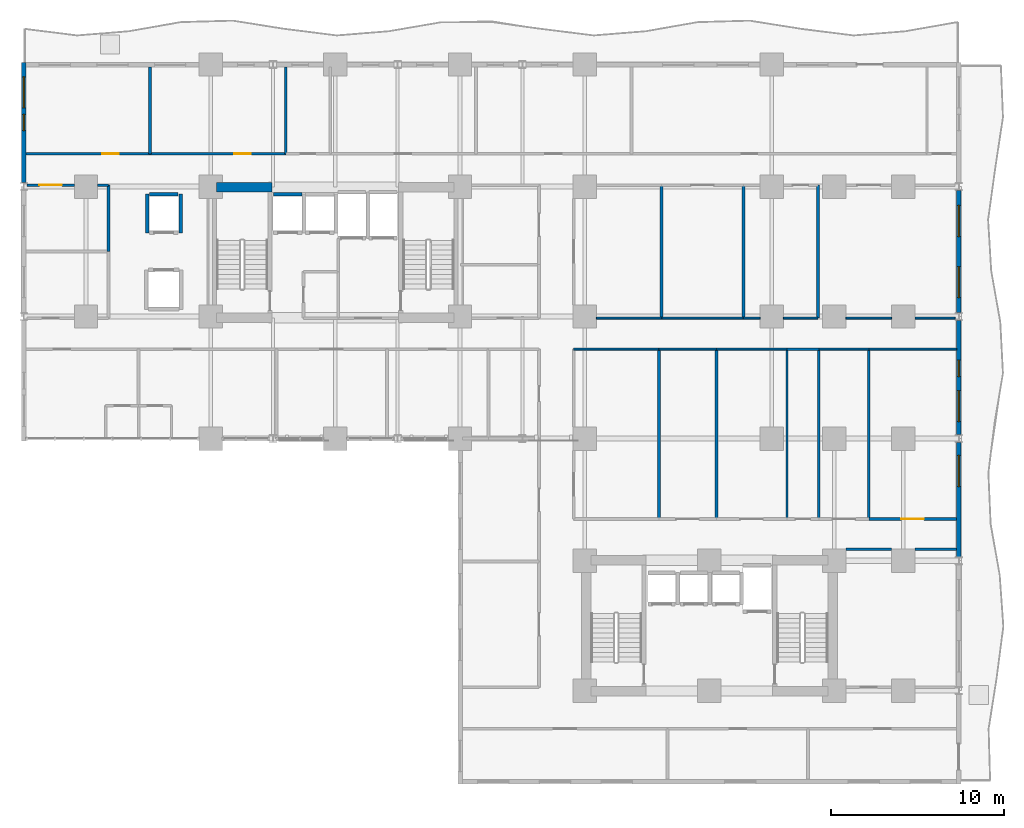
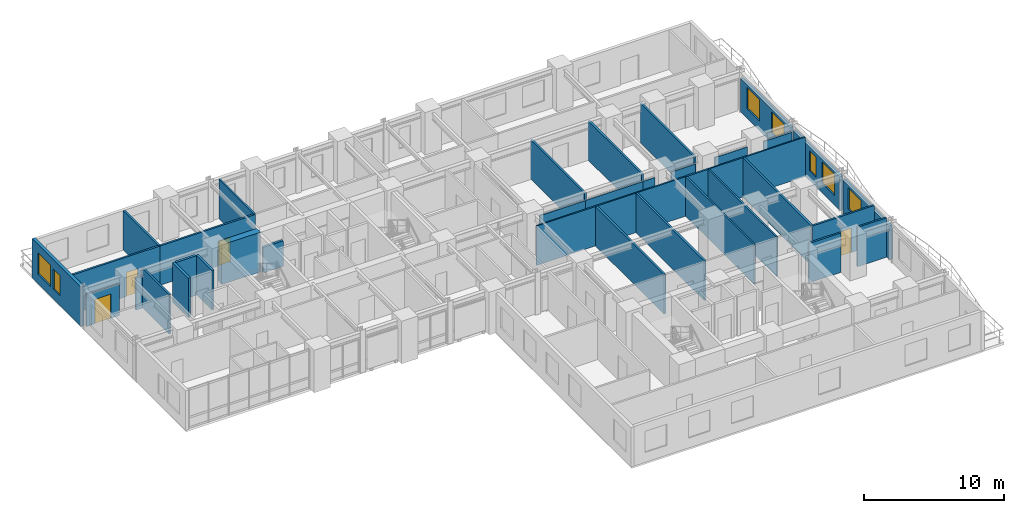
# One storey, part 11 of 16: 39 walls, 7 windows, 4 doors, 11 openings.
"""IFC4 building model written with IfcOpenShell, lengths in metres."""

from ifc_helpers import new_model, si_unit, direction, frame, frame_2d, origin, place, context, subcontext, project, spatial, rectangle, extrude, material, layer, layer_set, type_object, element, fill, save


model = new_model("IFC4")

# Units and contexts
model_context = context("Model", 3, precision=1e-05, world=origin(), true_north=direction((0.0, 1.0)))
body_context = subcontext(model_context, "Body", "Model", "MODEL_VIEW")
ifc_project = project(units=[si_unit("LENGTHUNIT", "METRE"), si_unit("AREAUNIT", "SQUARE_METRE"), si_unit("VOLUMEUNIT", "CUBIC_METRE"), si_unit("PLANEANGLEUNIT", "RADIAN"), si_unit("MASSUNIT", "GRAM", prefix="KILO")], contexts=[model_context])

# Site, building, storey
site_placement = place(None, origin())
site = spatial("IfcSite", under=ifc_project, at=site_placement, CompositionType="ELEMENT")
building_placement = place(site_placement, origin())
building = spatial("IfcBuilding", under=site, at=building_placement, Name="Kaliganga Portal Commons", CompositionType="ELEMENT")
storey_placement = place(building_placement, frame((0.0, 0.0, 29.0)))
storey = spatial("IfcBuildingStorey", under=building, at=storey_placement, Name="L06", CompositionType="ELEMENT", Elevation=29.0)

# Wall
ifc_material_1 = material(Name="Concrete C60/75", Category="concrete")
ifc_layer_1 = layer(ifc_material_1, 0.550048828125)
ifc_layer_set_1 = layer_set([ifc_layer_1], Name="Concrete C60/75")
wall_type_1 = type_object("IfcWallType", Name="WL-CORE-550", PredefinedType="SHEAR", material=ifc_layer_set_1)
wall_1_placement = place(storey_placement, frame((14.75, 36.125, 0.0), z_axis=(0.0, 0.0, 1.0), x_axis=(1.0, 0.0, 0.0)))
element("IfcWall", 1, at=wall_1_placement, inside=storey, type_object=wall_type_1, Name="Core A N-West Shear Wall L06", PredefinedType="SHEAR", context=body_context, shape_type="SweptSolid", body=[
    extrude(rectangle(XDim=3.199951171875, YDim=0.550048828125, at=frame_2d((1.60009765625, 0.0))), origin(), (0.0, 0.0, 1.0), 3.449951171875),
])

# Wall, opening, window
ifc_material_2 = material(Name="Insulated Aluminium-Clad Spandrel Assembly", Category="aluminium")
ifc_layer_2 = layer(ifc_material_2, 0.260009765625)
ifc_layer_set_2 = layer_set([ifc_layer_2], Name="Insulated Aluminium-Clad Spandrel Assembly")
wall_type_2 = type_object("IfcWallType", Name="WL-EXT-SPAND-260", PredefinedType="STANDARD", material=ifc_layer_set_2)
wall_2_placement = place(storey_placement, frame((57.60009765625, 21.3759765625, 0.0), z_axis=(0.0, 0.0, 1.0), x_axis=(0.0, -1.0, 0.0)))
wall_2 = element("IfcWall", 2, at=wall_2_placement, inside=storey, type_object=wall_type_2, Name="Exterior Envelope Wall L06 P1-E01-S3", PredefinedType="STANDARD", context=body_context, shape_type="SweptSolid", body=[
    extrude(rectangle(XDim=6.60205078125, YDim=0.260009765625, at=frame_2d((3.301025390625, 0.0))), origin(), (0.0, 0.0, 1.0), 2.929931640625),
])
opening_1_placement = place(wall_2_placement, frame((0.75048828125, 0.0, 0.85009765625)))
opening_1 = element("IfcOpeningElement", 3, at=opening_1_placement, cuts=wall_2, Name="Opening W-01", PredefinedType="OPENING", context=body_context, shape_type="SweptSolid", body=[
    extrude(rectangle(XDim=1.800048828125, YDim=1.85009765625, at=frame_2d((0.89990234375, 0.925048828125))), frame((0.0, 0.14013671875, 0.0), z_axis=(0.0, -1.0, 0.0), x_axis=(1.0, 0.0, 0.0)), (0.0, 0.0, 1.0), 0.280029296875),
])
ifc_material_3 = material(Name="Thermally Broken Aluminium and Low-E Double Glazing", Category="aluminium")
window_type_1 = type_object("IfcWindowType", Name="WIN-STD-1800", PartitioningType="DOUBLE_PANEL_VERTICAL", PredefinedType="WINDOW", material=ifc_material_3)
window_1_placement = place(opening_1_placement, origin())
window_1 = element("IfcWindow", 4, at=window_1_placement, inside=storey, type_object=window_type_1, Name="Facade Window L06-P1E01S3-00", OverallHeight=1.85009765625, OverallWidth=1.800048828125, PartitioningType="SINGLE_PANEL", PredefinedType="WINDOW", context=body_context, shape_type="SweptSolid", body=[
    extrude(rectangle(XDim=1.800048828125, YDim=1.85009765625, at=frame_2d((0.89990234375, 0.925048828125))), frame((0.0, 0.030029296875, 0.0), z_axis=(0.0, -1.0, 0.0), x_axis=(1.0, 0.0, 0.0)), (0.0, 0.0, 1.0), 0.06005859375),
])
fill(opening_1, window_1)

# Wall, openings, windows
wall_3_placement = place(storey_placement, frame((57.60009765625, 28.426025390625, 0.0), z_axis=(0.0, 0.0, 1.0), x_axis=(0.0, -1.0, 0.0)))
wall_3 = element("IfcWall", 5, at=wall_3_placement, inside=storey, type_object=wall_type_2, Name="Exterior Envelope Wall L06 P1-E01-S4", PredefinedType="STANDARD", context=body_context, shape_type="SweptSolid", body=[
    extrude(rectangle(XDim=6.60205078125, YDim=0.260009765625, at=frame_2d((3.301025390625, 0.0))), origin(), (0.0, 0.0, 1.0), 2.929931640625),
])
opening_2_placement = place(wall_3_placement, frame((4.051513671875, 0.0, 0.85009765625)))
opening_2 = element("IfcOpeningElement", 6, at=opening_2_placement, cuts=wall_3, Name="Opening W-01", PredefinedType="OPENING", context=body_context, shape_type="SweptSolid", body=[
    extrude(rectangle(XDim=1.800048828125, YDim=1.85009765625, at=frame_2d((0.89990234375, 0.925048828125))), frame((0.0, 0.14013671875, 0.0), z_axis=(0.0, -1.0, 0.0), x_axis=(1.0, 0.0, 0.0)), (0.0, 0.0, 1.0), 0.280029296875),
])
opening_3_placement = place(wall_3_placement, frame((2.2978515625, 0.0, 0.85009765625)))
opening_3 = element("IfcOpeningElement", 7, at=opening_3_placement, cuts=wall_3, Name="Opening W-04", PredefinedType="OPENING", context=body_context, shape_type="SweptSolid", body=[
    extrude(rectangle(XDim=0.949951171875, YDim=1.75, at=frame_2d((0.47509765625, 0.875))), frame((0.0, 0.14013671875, 0.0), z_axis=(0.0, -1.0, 0.0), x_axis=(1.0, 0.0, 0.0)), (0.0, 0.0, 1.0), 0.280029296875),
])
window_type_2 = type_object("IfcWindowType", Name="WIN-NARROW-950", PartitioningType="SINGLE_PANEL", PredefinedType="WINDOW", material=ifc_material_3)
window_2_placement = place(opening_3_placement, origin())
window_2 = element("IfcWindow", 8, at=window_2_placement, inside=storey, type_object=window_type_2, Name="Facade Window L06-P1E01S4-N5", OverallHeight=1.75, OverallWidth=0.949951171875, PartitioningType="SINGLE_PANEL", PredefinedType="WINDOW", context=body_context, shape_type="SweptSolid", body=[
    extrude(rectangle(XDim=0.949951171875, YDim=1.75, at=frame_2d((0.47509765625, 0.875))), frame((0.0, 0.030029296875, 0.0), z_axis=(0.0, -1.0, 0.0), x_axis=(1.0, 0.0, 0.0)), (0.0, 0.0, 1.0), 0.06005859375),
])
fill(opening_3, window_2)
window_3_placement = place(opening_2_placement, origin())
window_3 = element("IfcWindow", 9, at=window_3_placement, inside=storey, type_object=window_type_1, Name="Facade Window L06-P1E01S4-01", OverallHeight=1.85009765625, OverallWidth=1.800048828125, PartitioningType="SINGLE_PANEL", PredefinedType="WINDOW", context=body_context, shape_type="SweptSolid", body=[
    extrude(rectangle(XDim=1.800048828125, YDim=1.85009765625, at=frame_2d((0.89990234375, 0.925048828125))), frame((0.0, 0.030029296875, 0.0), z_axis=(0.0, -1.0, 0.0), x_axis=(1.0, 0.0, 0.0)), (0.0, 0.0, 1.0), 0.06005859375),
])
fill(opening_2, window_3)

wall_4_placement = place(storey_placement, frame((57.60009765625, 35.926025390625, 0.0), z_axis=(0.0, 0.0, 1.0), x_axis=(0.0, -1.0, 0.0)))
wall_4 = element("IfcWall", 10, at=wall_4_placement, inside=storey, type_object=wall_type_2, Name="Exterior Envelope Wall L06 P1-E01-S5", PredefinedType="STANDARD", context=body_context, shape_type="SweptSolid", body=[
    extrude(rectangle(XDim=7.052001953125, YDim=0.260009765625, at=frame_2d((3.52587890625, 0.0))), origin(), (0.0, 0.0, 1.0), 2.929931640625),
])
opening_4_placement = place(wall_4_placement, frame((0.863037109375, 0.0, 0.85009765625)))
opening_4 = element("IfcOpeningElement", 11, at=opening_4_placement, cuts=wall_4, Name="Opening W-01", PredefinedType="OPENING", context=body_context, shape_type="SweptSolid", body=[
    extrude(rectangle(XDim=1.800048828125, YDim=1.85009765625, at=frame_2d((0.89990234375, 0.925048828125))), frame((0.0, 0.14013671875, 0.0), z_axis=(0.0, -1.0, 0.0), x_axis=(1.0, 0.0, 0.0)), (0.0, 0.0, 1.0), 0.280029296875),
])
opening_5_placement = place(wall_4_placement, frame((4.388916015625, 0.0, 0.85009765625)))
opening_5 = element("IfcOpeningElement", 12, at=opening_5_placement, cuts=wall_4, Name="Opening W-01", PredefinedType="OPENING", context=body_context, shape_type="SweptSolid", body=[
    extrude(rectangle(XDim=1.800048828125, YDim=1.85009765625, at=frame_2d((0.89990234375, 0.925048828125))), frame((0.0, 0.14013671875, 0.0), z_axis=(0.0, -1.0, 0.0), x_axis=(1.0, 0.0, 0.0)), (0.0, 0.0, 1.0), 0.280029296875),
])
window_4_placement = place(opening_4_placement, origin())
window_4 = element("IfcWindow", 13, at=window_4_placement, inside=storey, type_object=window_type_1, Name="Facade Window L06-P1E01S5-00", OverallHeight=1.85009765625, OverallWidth=1.800048828125, PartitioningType="SINGLE_PANEL", PredefinedType="WINDOW", context=body_context, shape_type="SweptSolid", body=[
    extrude(rectangle(XDim=1.800048828125, YDim=1.85009765625, at=frame_2d((0.89990234375, 0.925048828125))), frame((0.0, 0.030029296875, 0.0), z_axis=(0.0, -1.0, 0.0), x_axis=(1.0, 0.0, 0.0)), (0.0, 0.0, 1.0), 0.06005859375),
])
fill(opening_4, window_4)
window_5_placement = place(opening_5_placement, origin())
window_5 = element("IfcWindow", 14, at=window_5_placement, inside=storey, type_object=window_type_1, Name="Facade Window L06-P1E01S5-01", OverallHeight=1.85009765625, OverallWidth=1.800048828125, PartitioningType="SINGLE_PANEL", PredefinedType="WINDOW", context=body_context, shape_type="SweptSolid", body=[
    extrude(rectangle(XDim=1.800048828125, YDim=1.85009765625, at=frame_2d((0.89990234375, 0.925048828125))), frame((0.0, 0.030029296875, 0.0), z_axis=(0.0, -1.0, 0.0), x_axis=(1.0, 0.0, 0.0)), (0.0, 0.0, 1.0), 0.06005859375),
])
fill(opening_5, window_5)

wall_5_placement = place(storey_placement, frame((3.60009765625, 36.3740234375, 0.0), z_axis=(0.0, 0.0, 1.0), x_axis=(0.0, 1.0, 0.0)))
wall_5 = element("IfcWall", 15, at=wall_5_placement, inside=storey, type_object=wall_type_2, Name="Exterior Envelope Wall L06 P1-E03-S1", PredefinedType="STANDARD", context=body_context, shape_type="SweptSolid", body=[
    extrude(rectangle(XDim=6.9560546875, YDim=0.260009765625, at=frame_2d((3.47802734375, 0.0))), origin(), (0.0, 0.0, 1.0), 3.429931640625),
])
opening_6_placement = place(wall_5_placement, frame((4.31689453125, 0.0, 0.85009765625)))
opening_6 = element("IfcOpeningElement", 16, at=opening_6_placement, cuts=wall_5, Name="Opening W-01", PredefinedType="OPENING", context=body_context, shape_type="SweptSolid", body=[
    extrude(rectangle(XDim=1.800048828125, YDim=1.85009765625, at=frame_2d((0.89990234375, 0.925048828125))), frame((0.0, 0.14013671875, 0.0), z_axis=(0.0, -1.0, 0.0), x_axis=(1.0, 0.0, 0.0)), (0.0, 0.0, 1.0), 0.280029296875),
])
opening_7_placement = place(wall_5_placement, frame((3.0029296875, 0.0, 0.85009765625)))
opening_7 = element("IfcOpeningElement", 17, at=opening_7_placement, cuts=wall_5, Name="Opening W-04", PredefinedType="OPENING", context=body_context, shape_type="SweptSolid", body=[
    extrude(rectangle(XDim=0.949951171875, YDim=1.75, at=frame_2d((0.47509765625, 0.875))), frame((0.0, 0.14013671875, 0.0), z_axis=(0.0, -1.0, 0.0), x_axis=(1.0, 0.0, 0.0)), (0.0, 0.0, 1.0), 0.280029296875),
])
window_6_placement = place(opening_7_placement, origin())
window_6 = element("IfcWindow", 18, at=window_6_placement, inside=storey, type_object=window_type_2, Name="Facade Window L06-P1E03S1-N0", OverallHeight=1.75, OverallWidth=0.949951171875, PartitioningType="SINGLE_PANEL", PredefinedType="WINDOW", context=body_context, shape_type="SweptSolid", body=[
    extrude(rectangle(XDim=0.949951171875, YDim=1.75, at=frame_2d((0.47509765625, 0.875))), frame((0.0, 0.030029296875, 0.0), z_axis=(0.0, -1.0, 0.0), x_axis=(1.0, 0.0, 0.0)), (0.0, 0.0, 1.0), 0.06005859375),
])
fill(opening_7, window_6)
window_7_placement = place(opening_6_placement, origin())
window_7 = element("IfcWindow", 19, at=window_7_placement, inside=storey, type_object=window_type_1, Name="Facade Window L06-P1E03S1-01", OverallHeight=1.85009765625, OverallWidth=1.800048828125, PartitioningType="SINGLE_PANEL", PredefinedType="WINDOW", context=body_context, shape_type="SweptSolid", body=[
    extrude(rectangle(XDim=1.800048828125, YDim=1.85009765625, at=frame_2d((0.89990234375, 0.925048828125))), frame((0.0, 0.030029296875, 0.0), z_axis=(0.0, -1.0, 0.0), x_axis=(1.0, 0.0, 0.0)), (0.0, 0.0, 1.0), 0.06005859375),
])
fill(opening_6, window_7)

# Wall, opening, door
ifc_material_4 = material(Name="Fire-Rated Gypsum Board on Steel Stud", Category="steel")
ifc_layer_3 = layer(ifc_material_4, 0.14990234375)
ifc_layer_set_3 = layer_set([ifc_layer_3], Name="Fire-Rated Gypsum Board on Steel Stud")
wall_type_3 = type_object("IfcWallType", Name="WL-PART-CORR-150", PredefinedType="PARTITIONING", material=ifc_layer_set_3)
wall_6_placement = place(storey_placement, frame((10.89990234375, 38.0400390625, 0.0), z_axis=(0.0, 0.0, 1.0), x_axis=(1.0, 0.0, 0.0)))
wall_6 = element("IfcWall", 20, at=wall_6_placement, inside=storey, type_object=wall_type_3, Name="Interior Partition L06-017", PredefinedType="PARTITIONING", context=body_context, shape_type="SweptSolid", body=[
    extrude(rectangle(XDim=7.840087890625, YDim=0.14990234375, at=frame_2d((3.919921875, 0.0))), origin(), (0.0, 0.0, 1.0), 3.429931640625),
])
opening_8_placement = place(wall_6_placement, frame((4.856201171875, 0.0, 0.0)))
opening_8 = element("IfcOpeningElement", 21, at=opening_8_placement, cuts=wall_6, Name="Opening UD-01", PredefinedType="OPENING", context=body_context, shape_type="SweptSolid", body=[
    extrude(rectangle(XDim=0.949951171875, YDim=2.10009765625, at=frame_2d((0.47509765625, 1.050048828125))), frame((0.0, 0.0849609375, 0.0), z_axis=(0.0, -1.0, 0.0), x_axis=(1.0, 0.0, 0.0)), (0.0, 0.0, 1.0), 0.169921875),
])
ifc_material_5 = material(Name="Solid-Core Timber Acoustic Fire Door", Category="wood")
door_type_1 = type_object("IfcDoorType", Name="DR-UNIT-950", OperationType="NOTDEFINED", PredefinedType="DOOR", material=ifc_material_5)
door_1_placement = place(opening_8_placement, origin())
door_1 = element("IfcDoor", 22, at=door_1_placement, inside=storey, type_object=door_type_1, Name="Interior Door L06-AN02", OperationType="SINGLE_SWING_LEFT", OverallHeight=2.10009765625, OverallWidth=0.949951171875, PredefinedType="DOOR", context=body_context, shape_type="SweptSolid", body=[
    extrude(rectangle(XDim=0.949951171875, YDim=2.10009765625, at=frame_2d((0.47509765625, 1.050048828125))), frame((0.0, 0.02490234375, 0.0), z_axis=(0.0, -1.0, 0.0), x_axis=(1.0, 0.0, 0.0)), (0.0, 0.0, 1.0), 0.050048828125),
])
fill(opening_8, door_1)

wall_7_placement = place(storey_placement, frame((3.73193359375, 38.0400390625, 0.0), z_axis=(0.0, 0.0, 1.0), x_axis=(1.0, 0.0, 0.0)))
wall_7 = element("IfcWall", 23, at=wall_7_placement, inside=storey, type_object=wall_type_3, Name="Interior Partition L06-019", PredefinedType="PARTITIONING", context=body_context, shape_type="SweptSolid", body=[
    extrude(rectangle(XDim=7.16796875, YDim=0.14990234375, at=frame_2d((3.583984375, 0.0))), origin(), (0.0, 0.0, 1.0), 3.429931640625),
])
opening_9_placement = place(wall_7_placement, frame((4.399169921875, 0.0, 0.0)))
opening_9 = element("IfcOpeningElement", 24, at=opening_9_placement, cuts=wall_7, Name="Opening UD-01", PredefinedType="OPENING", context=body_context, shape_type="SweptSolid", body=[
    extrude(rectangle(XDim=0.949951171875, YDim=2.10009765625, at=frame_2d((0.47509765625, 1.050048828125))), frame((0.0, 0.0849609375, 0.0), z_axis=(0.0, -1.0, 0.0), x_axis=(1.0, 0.0, 0.0)), (0.0, 0.0, 1.0), 0.169921875),
])
door_2_placement = place(opening_9_placement, origin())
door_2 = element("IfcDoor", 25, at=door_2_placement, inside=storey, type_object=door_type_1, Name="Interior Door L06-AN01", OperationType="SINGLE_SWING_LEFT", OverallHeight=2.10009765625, OverallWidth=0.949951171875, PredefinedType="DOOR", context=body_context, shape_type="SweptSolid", body=[
    extrude(rectangle(XDim=0.949951171875, YDim=2.10009765625, at=frame_2d((0.47509765625, 1.050048828125))), frame((0.0, 0.02490234375, 0.0), z_axis=(0.0, -1.0, 0.0), x_axis=(1.0, 0.0, 0.0)), (0.0, 0.0, 1.0), 0.050048828125),
])
fill(opening_9, door_2)

# Walls
wall_8_placement = place(storey_placement, frame((51.074951171875, 15.199951171875, 0.0), z_axis=(0.0, 0.0, 1.0), x_axis=(1.0, 0.0, 0.0)))
element("IfcWall", 26, at=wall_8_placement, inside=storey, type_object=wall_type_3, Name="Interior Partition L06-024", PredefinedType="PARTITIONING", context=body_context, shape_type="SweptSolid", body=[
    extrude(rectangle(XDim=2.650146484375, YDim=0.14990234375, at=frame_2d((1.3251953125, 0.0))), origin(), (0.0, 0.0, 1.0), 3.429931640625),
])
wall_9_placement = place(storey_placement, frame((55.074951171875, 15.199951171875, 0.0), z_axis=(0.0, 0.0, 1.0), x_axis=(1.0, 0.0, 0.0)))
element("IfcWall", 27, at=wall_9_placement, inside=storey, type_object=wall_type_3, Name="Interior Partition L06-025", PredefinedType="PARTITIONING", context=body_context, shape_type="SweptSolid", body=[
    extrude(rectangle(XDim=2.39306640625, YDim=0.14990234375, at=frame_2d((1.196533203125, 0.0))), origin(), (0.0, 0.0, 1.0), 3.429931640625),
])

# Wall, opening, door
wall_10_placement = place(storey_placement, frame((52.39990234375, 16.9599609375, 0.0), z_axis=(0.0, 0.0, 1.0), x_axis=(1.0, 0.0, 0.0)))
wall_10 = element("IfcWall", 28, at=wall_10_placement, inside=storey, type_object=wall_type_3, Name="Interior Partition L06-029", PredefinedType="PARTITIONING", context=body_context, shape_type="SweptSolid", body=[
    extrude(rectangle(XDim=5.068115234375, YDim=0.14990234375, at=frame_2d((2.5341796875, 0.0))), origin(), (0.0, 0.0, 1.0), 3.429931640625),
])
opening_10_placement = place(wall_10_placement, frame((1.884033203125, 0.0, 0.0)))
opening_10 = element("IfcOpeningElement", 29, at=opening_10_placement, cuts=wall_10, Name="Opening RD-03", PredefinedType="OPENING", context=body_context, shape_type="SweptSolid", body=[
    extrude(rectangle(XDim=1.300048828125, YDim=2.1201171875, at=frame_2d((0.64990234375, 1.06005859375))), frame((0.0, 0.0849609375, 0.0), z_axis=(0.0, -1.0, 0.0), x_axis=(1.0, 0.0, 0.0)), (0.0, 0.0, 1.0), 0.169921875),
])
ifc_material_6 = material(Name="Glazed Timber Seminar Vision Door", Category="wood")
door_type_2 = type_object("IfcDoorType", Name="DR-STUDY-1300", OperationType="DOUBLE_DOOR_SINGLE_SWING", PredefinedType="DOOR", material=ifc_material_6)
door_3_placement = place(opening_10_placement, origin())
door_3 = element("IfcDoor", 30, at=door_3_placement, inside=storey, type_object=door_type_2, Name="Interior Door L06-BM05B", OperationType="DOUBLE_DOOR_SINGLE_SWING", OverallHeight=2.1201171875, OverallWidth=1.300048828125, PredefinedType="DOOR", context=body_context, shape_type="SweptSolid", body=[
    extrude(rectangle(XDim=1.300048828125, YDim=2.1201171875, at=frame_2d((0.64990234375, 1.06005859375))), frame((0.0, 0.02490234375, 0.0), z_axis=(0.0, -1.0, 0.0), x_axis=(1.0, 0.0, 0.0)), (0.0, 0.0, 1.0), 0.050048828125),
])
fill(opening_10, door_3)

wall_11_placement = place(storey_placement, frame((3.80810546875, 36.239990234375, 0.0), z_axis=(0.0, 0.0, 1.0), x_axis=(1.0, 0.0, 0.0)))
wall_11 = element("IfcWall", 31, at=wall_11_placement, inside=storey, type_object=wall_type_3, Name="Interior Partition L06-035", PredefinedType="PARTITIONING", context=body_context, shape_type="SweptSolid", body=[
    extrude(rectangle(XDim=2.716796875, YDim=0.14990234375, at=frame_2d((1.3583984375, 0.0))), origin(), (0.0, 0.0, 1.0), 2.780029296875),
])
opening_11_placement = place(wall_11_placement, frame((0.70849609375, 0.0, 0.0)))
opening_11 = element("IfcOpeningElement", 32, at=opening_11_placement, cuts=wall_11, Name="Opening RD-03", PredefinedType="OPENING", context=body_context, shape_type="SweptSolid", body=[
    extrude(rectangle(XDim=1.300048828125, YDim=2.1201171875, at=frame_2d((0.64990234375, 1.06005859375))), frame((0.0, 0.0849609375, 0.0), z_axis=(0.0, -1.0, 0.0), x_axis=(1.0, 0.0, 0.0)), (0.0, 0.0, 1.0), 0.169921875),
])
door_4_placement = place(opening_11_placement, origin())
door_4 = element("IfcDoor", 33, at=door_4_placement, inside=storey, type_object=door_type_2, Name="Interior Door L06-AW02", OperationType="DOUBLE_DOOR_SINGLE_SWING", OverallHeight=2.1201171875, OverallWidth=1.300048828125, PredefinedType="DOOR", context=body_context, shape_type="SweptSolid", body=[
    extrude(rectangle(XDim=1.300048828125, YDim=2.1201171875, at=frame_2d((0.64990234375, 1.06005859375))), frame((0.0, 0.02490234375, 0.0), z_axis=(0.0, -1.0, 0.0), x_axis=(1.0, 0.0, 0.0)), (0.0, 0.0, 1.0), 0.050048828125),
])
fill(opening_11, door_4)

# Walls
wall_12_placement = place(storey_placement, frame((7.875, 36.239990234375, 0.0), z_axis=(0.0, 0.0, 1.0), x_axis=(1.0, 0.0, 0.0)))
element("IfcWall", 34, at=wall_12_placement, inside=storey, type_object=wall_type_3, Name="Interior Partition L06-036", PredefinedType="PARTITIONING", context=body_context, shape_type="SweptSolid", body=[
    extrude(rectangle(XDim=0.625, YDim=0.14990234375, at=frame_2d((0.3125, 0.0))), origin(), (0.0, 0.0, 1.0), 2.780029296875),
])
wall_13_placement = place(storey_placement, frame((8.5, 32.39990234375, 0.0), z_axis=(0.0, 0.0, 1.0), x_axis=(0.0, 1.0, 0.0)))
element("IfcWall", 35, at=wall_13_placement, inside=storey, type_object=wall_type_3, Name="Interior Partition L06-045", PredefinedType="PARTITIONING", context=body_context, shape_type="SweptSolid", body=[
    extrude(rectangle(XDim=3.840087890625, YDim=0.14990234375, at=frame_2d((1.919921875, 0.0))), origin(), (0.0, 0.0, 1.0), 3.429931640625),
])
ifc_material_7 = material(Name="Moisture-Resistant Gypsum Partition", Category="gypsum")
ifc_layer_4 = layer(ifc_material_7, 0.114990234375)
ifc_layer_set_4 = layer_set([ifc_layer_4], Name="Moisture-Resistant Gypsum Partition")
wall_type_4 = type_object("IfcWallType", Name="WL-PART-ROOM-115", PredefinedType="PARTITIONING", material=ifc_layer_set_4)
wall_14_placement = place(storey_placement, frame((51.074951171875, 28.56005859375, 0.0), z_axis=(0.0, 0.0, 1.0), x_axis=(1.0, 0.0, 0.0)))
element("IfcWall", 36, at=wall_14_placement, inside=storey, type_object=wall_type_4, Name="Interior Partition L06-063", PredefinedType="PARTITIONING", context=body_context, shape_type="SweptSolid", body=[
    extrude(rectangle(XDim=2.650146484375, YDim=0.114990234375, at=frame_2d((1.3251953125, 0.0))), origin(), (0.0, 0.0, 1.0), 2.780029296875),
])
wall_15_placement = place(storey_placement, frame((55.074951171875, 28.56005859375, 0.0), z_axis=(0.0, 0.0, 1.0), x_axis=(1.0, 0.0, 0.0)))
element("IfcWall", 37, at=wall_15_placement, inside=storey, type_object=wall_type_4, Name="Interior Partition L06-064", PredefinedType="PARTITIONING", context=body_context, shape_type="SweptSolid", body=[
    extrude(rectangle(XDim=2.317138671875, YDim=0.114990234375, at=frame_2d((1.15869140625, 0.0))), origin(), (0.0, 0.0, 1.0), 2.780029296875),
])
wall_16_placement = place(storey_placement, frame((52.39990234375, 26.760009765625, 0.0), z_axis=(0.0, 0.0, 1.0), x_axis=(1.0, 0.0, 0.0)))
element("IfcWall", 38, at=wall_16_placement, inside=storey, type_object=wall_type_4, Name="Interior Partition L06-068", PredefinedType="PARTITIONING", context=body_context, shape_type="SweptSolid", body=[
    extrude(rectangle(XDim=5.068115234375, YDim=0.114990234375, at=frame_2d((2.5341796875, 0.0))), origin(), (0.0, 0.0, 1.0), 3.429931640625),
])
wall_17_placement = place(storey_placement, frame((36.675048828125, 28.56005859375, 0.0), z_axis=(0.0, 0.0, 1.0), x_axis=(1.0, 0.0, 0.0)))
element("IfcWall", 39, at=wall_17_placement, inside=storey, type_object=wall_type_4, Name="Interior Partition L06-078", PredefinedType="PARTITIONING", context=body_context, shape_type="SweptSolid", body=[
    extrude(rectangle(XDim=3.764892578125, YDim=0.114990234375, at=frame_2d((1.88232421875, 0.0))), origin(), (0.0, 0.0, 1.0), 2.780029296875),
])
wall_18_placement = place(storey_placement, frame((35.360107421875, 26.760009765625, 0.0), z_axis=(0.0, 0.0, 1.0), x_axis=(1.0, 0.0, 0.0)))
element("IfcWall", 40, at=wall_18_placement, inside=storey, type_object=wall_type_4, Name="Interior Partition L06-079", PredefinedType="PARTITIONING", context=body_context, shape_type="SweptSolid", body=[
    extrude(rectangle(XDim=4.919921875, YDim=0.114990234375, at=frame_2d((2.4599609375, 0.0))), origin(), (0.0, 0.0, 1.0), 3.429931640625),
])
wall_19_placement = place(storey_placement, frame((40.43994140625, 28.56005859375, 0.0), z_axis=(0.0, 0.0, 1.0), x_axis=(1.0, 0.0, 0.0)))
element("IfcWall", 41, at=wall_19_placement, inside=storey, type_object=wall_type_4, Name="Interior Partition L06-081", PredefinedType="PARTITIONING", context=body_context, shape_type="SweptSolid", body=[
    extrude(rectangle(XDim=4.719970703125, YDim=0.114990234375, at=frame_2d((2.35986328125, 0.0))), origin(), (0.0, 0.0, 1.0), 2.780029296875),
])
wall_20_placement = place(storey_placement, frame((45.159912109375, 28.56005859375, 0.0), z_axis=(0.0, 0.0, 1.0), x_axis=(1.0, 0.0, 0.0)))
element("IfcWall", 42, at=wall_20_placement, inside=storey, type_object=wall_type_4, Name="Interior Partition L06-084", PredefinedType="PARTITIONING", context=body_context, shape_type="SweptSolid", body=[
    extrude(rectangle(XDim=0.965087890625, YDim=0.114990234375, at=frame_2d((0.482421875, 0.0))), origin(), (0.0, 0.0, 1.0), 2.780029296875),
])
wall_21_placement = place(storey_placement, frame((47.47509765625, 28.56005859375, 0.0), z_axis=(0.0, 0.0, 1.0), x_axis=(1.0, 0.0, 0.0)))
element("IfcWall", 43, at=wall_21_placement, inside=storey, type_object=wall_type_4, Name="Interior Partition L06-085", PredefinedType="PARTITIONING", context=body_context, shape_type="SweptSolid", body=[
    extrude(rectangle(XDim=1.98486328125, YDim=0.114990234375, at=frame_2d((0.992431640625, 0.0))), origin(), (0.0, 0.0, 1.0), 2.780029296875),
])
wall_22_placement = place(storey_placement, frame((43.60009765625, 26.760009765625, 0.0), z_axis=(0.0, 0.0, 1.0), x_axis=(1.0, 0.0, 0.0)))
element("IfcWall", 44, at=wall_22_placement, inside=storey, type_object=wall_type_4, Name="Interior Partition L06-086", PredefinedType="PARTITIONING", context=body_context, shape_type="SweptSolid", body=[
    extrude(rectangle(XDim=4.079833984375, YDim=0.114990234375, at=frame_2d((2.0400390625, 0.0))), origin(), (0.0, 0.0, 1.0), 3.429931640625),
])
wall_23_placement = place(storey_placement, frame((40.280029296875, 26.760009765625, 0.0), z_axis=(0.0, 0.0, 1.0), x_axis=(1.0, 0.0, 0.0)))
element("IfcWall", 45, at=wall_23_placement, inside=storey, type_object=wall_type_4, Name="Interior Partition L06-088", PredefinedType="PARTITIONING", context=body_context, shape_type="SweptSolid", body=[
    extrude(rectangle(XDim=3.320068359375, YDim=0.114990234375, at=frame_2d((1.66015625, 0.0))), origin(), (0.0, 0.0, 1.0), 3.429931640625),
])
wall_24_placement = place(storey_placement, frame((49.52001953125, 26.760009765625, 0.0), z_axis=(0.0, 0.0, 1.0), x_axis=(1.0, 0.0, 0.0)))
element("IfcWall", 46, at=wall_24_placement, inside=storey, type_object=wall_type_4, Name="Interior Partition L06-093", PredefinedType="PARTITIONING", context=body_context, shape_type="SweptSolid", body=[
    extrude(rectangle(XDim=2.8798828125, YDim=0.114990234375, at=frame_2d((1.43994140625, 0.0))), origin(), (0.0, 0.0, 1.0), 3.429931640625),
])
ifc_material_8 = material(Name="Twin-Stud Acoustic Gypsum Partition", Category="gypsum")
ifc_layer_5 = layer(ifc_material_8, 0.1650390625)
ifc_layer_set_5 = layer_set([ifc_layer_5], Name="Twin-Stud Acoustic Gypsum Partition")
wall_type_5 = type_object("IfcWallType", Name="WL-PART-UNIT-165", PredefinedType="PARTITIONING", material=ifc_layer_set_5)
for number, where, z_axis, x_axis, name in (
    (47, (40.280029296875, 16.9599609375, 0.0), (0.0, 0.0, 1.0), (0.0, 1.0, 0.0), "Interior Partition L06-058"),
    (48, (43.60009765625, 16.9599609375, 0.0), (0.0, 0.0, 1.0), (0.0, 1.0, 0.0), "Interior Partition L06-059"),
    (49, (52.39990234375, 16.9599609375, 0.0), (0.0, 0.0, 1.0), (0.0, 1.0, 0.0), "Interior Partition L06-062"),
):
    element("IfcWall", number, at=place(storey_placement, frame(where, z_axis=z_axis, x_axis=x_axis)), inside=storey, type_object=wall_type_5, Name=name, PredefinedType="PARTITIONING", context=body_context, shape_type="SweptSolid", body=[
        extrude(rectangle(XDim=9.800048828125, YDim=0.1650390625, at=frame_2d((4.89990234375, 0.0))), origin(), (0.0, 0.0, 1.0), 3.429931640625),
    ])
for number, where, z_axis, x_axis, name in (
    (50, (40.43994140625, 28.56005859375, 0.0), (0.0, 0.0, 1.0), (0.0, 1.0, 0.0), "Interior Partition L06-065"),
    (51, (45.159912109375, 28.56005859375, 0.0), (0.0, 0.0, 1.0), (0.0, 1.0, 0.0), "Interior Partition L06-066"),
    (52, (49.4599609375, 28.56005859375, 0.0), (0.0, 0.0, 1.0), (0.0, 1.0, 0.0), "Interior Partition L06-067"),
):
    element("IfcWall", number, at=place(storey_placement, frame(where, z_axis=z_axis, x_axis=x_axis)), inside=storey, type_object=wall_type_5, Name=name, PredefinedType="PARTITIONING", context=body_context, shape_type="SweptSolid", body=[
        extrude(rectangle(XDim=7.679931640625, YDim=0.1650390625, at=frame_2d((3.83984375, 0.0))), origin(), (0.0, 0.0, 1.0), 3.429931640625),
    ])
wall_25_placement = place(storey_placement, frame((10.89990234375, 38.0400390625, 0.0), z_axis=(0.0, 0.0, 1.0), x_axis=(0.0, 1.0, 0.0)))
element("IfcWall", 53, at=wall_25_placement, inside=storey, type_object=wall_type_5, Name="Interior Partition L06-069", PredefinedType="PARTITIONING", context=body_context, shape_type="SweptSolid", body=[
    extrude(rectangle(XDim=5.028076171875, YDim=0.1650390625, at=frame_2d((2.51416015625, 0.0))), origin(), (0.0, 0.0, 1.0), 3.429931640625),
])
ifc_material_9 = material(Name="Cement-Board Wet-Room Partition", Category="gypsum")
ifc_layer_6 = layer(ifc_material_9, 0.135009765625)
ifc_layer_set_6 = layer_set([ifc_layer_6], Name="Cement-Board Wet-Room Partition")
wall_type_6 = type_object("IfcWallType", Name="WL-PART-WET-135", PredefinedType="PARTITIONING", material=ifc_layer_set_6)
for number, where, z_axis, x_axis, name in (
    (54, (47.679931640625, 16.9599609375, 0.0), (0.0, 0.0, 1.0), (0.0, 1.0, 0.0), "Interior Partition L06-060"),
    (55, (49.52001953125, 16.9599609375, 0.0), (0.0, 0.0, 1.0), (0.0, 1.0, 0.0), "Interior Partition L06-061"),
):
    element("IfcWall", number, at=place(storey_placement, frame(where, z_axis=z_axis, x_axis=x_axis)), inside=storey, type_object=wall_type_6, Name=name, PredefinedType="PARTITIONING", context=body_context, shape_type="SweptSolid", body=[
        extrude(rectangle(XDim=9.800048828125, YDim=0.135009765625, at=frame_2d((4.89990234375, 0.0))), origin(), (0.0, 0.0, 1.0), 3.429931640625),
    ])
wall_26_placement = place(storey_placement, frame((18.739990234375, 38.0400390625, 0.0), z_axis=(0.0, 0.0, 1.0), x_axis=(0.0, 1.0, 0.0)))
element("IfcWall", 56, at=wall_26_placement, inside=storey, type_object=wall_type_6, Name="Interior Partition L06-070", PredefinedType="PARTITIONING", context=body_context, shape_type="SweptSolid", body=[
    extrude(rectangle(XDim=5.028076171875, YDim=0.135009765625, at=frame_2d((2.51416015625, 0.0))), origin(), (0.0, 0.0, 1.0), 3.429931640625),
])
wall_27_placement = place(storey_placement, frame((47.679931640625, 26.760009765625, 0.0), z_axis=(0.0, 0.0, 1.0), x_axis=(1.0, 0.0, 0.0)))
element("IfcWall", 57, at=wall_27_placement, inside=storey, type_object=wall_type_6, Name="Interior Partition L06-095", PredefinedType="PARTITIONING", context=body_context, shape_type="SweptSolid", body=[
    extrude(rectangle(XDim=1.840087890625, YDim=0.135009765625, at=frame_2d((0.919921875, 0.0))), origin(), (0.0, 0.0, 1.0), 3.429931640625),
])
ifc_material_10 = material(Name="Fire-Rated Shaftwall Masonry Assembly", Category="masonry")
ifc_layer_7 = layer(ifc_material_10, 0.199951171875)
ifc_layer_set_7 = layer_set([ifc_layer_7], Name="Fire-Rated Shaftwall Masonry Assembly")
wall_type_7 = type_object("IfcWallType", Name="WL-SHAFT-200", PredefinedType="PARTITIONING", material=ifc_layer_set_7)
wall_28_placement = place(storey_placement, frame((18.02490234375, 35.715087890625, 0.0), z_axis=(0.0, 0.0, 1.0), x_axis=(1.0, 0.0, 0.0)))
element("IfcWall", 58, at=wall_28_placement, inside=storey, type_object=wall_type_7, Name="Lift PL-A1 Hoistway Shaft Wall L06-N", PredefinedType="PARTITIONING", context=body_context, shape_type="SweptSolid", body=[
    extrude(rectangle(XDim=1.650146484375, YDim=0.199951171875, at=frame_2d((0.8251953125, 0.0))), origin(), (0.0, 0.0, 1.0), 2.22998046875),
])
wall_29_placement = place(storey_placement, frame((10.875, 35.715087890625, 0.0), z_axis=(0.0, 0.0, 1.0), x_axis=(1.0, 0.0, 0.0)))
element("IfcWall", 59, at=wall_29_placement, inside=storey, type_object=wall_type_7, Name="Lift PL-OBS Hoistway Shaft Wall L06-N", PredefinedType="PARTITIONING", context=body_context, shape_type="SweptSolid", body=[
    extrude(rectangle(XDim=1.64990234375, YDim=0.199951171875, at=frame_2d((0.824951171875, 0.0))), origin(), (0.0, 0.0, 1.0), 3.429931640625),
])
for number, where, z_axis, x_axis, name in (
    (60, (10.735107421875, 33.485107421875, 0.0), (0.0, 0.0, 1.0), (0.0, 1.0, 0.0), "Lift PL-OBS Hoistway Shaft Wall L06-W"),
    (61, (12.6650390625, 33.485107421875, 0.0), (0.0, 0.0, 1.0), (0.0, 1.0, 0.0), "Lift PL-OBS Hoistway Shaft Wall L06-E"),
):
    element("IfcWall", number, at=place(storey_placement, frame(where, z_axis=z_axis, x_axis=x_axis)), inside=storey, type_object=wall_type_7, Name=name, PredefinedType="PARTITIONING", context=body_context, shape_type="SweptSolid", body=[
        extrude(rectangle(XDim=2.22998046875, YDim=0.199951171875, at=frame_2d((1.114990234375, 0.0))), origin(), (0.0, 0.0, 1.0), 3.429931640625),
    ])

save(model, "model.ifc")
